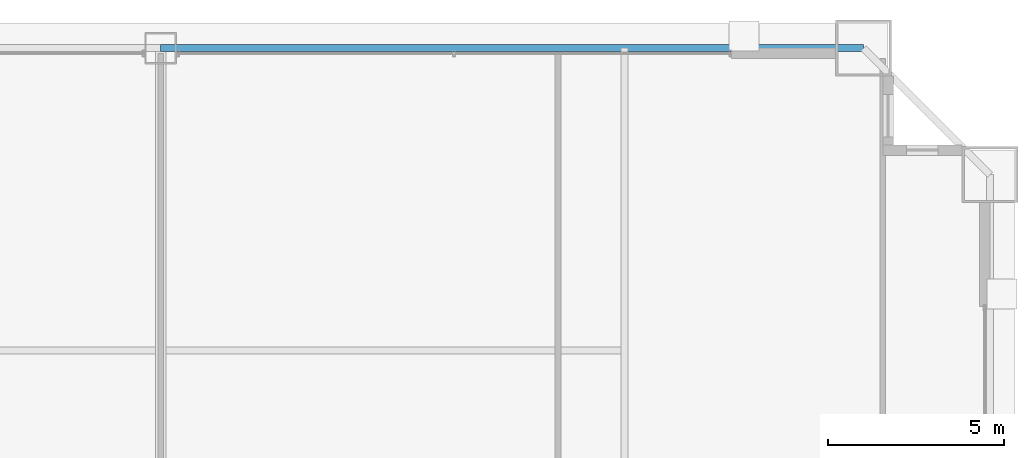
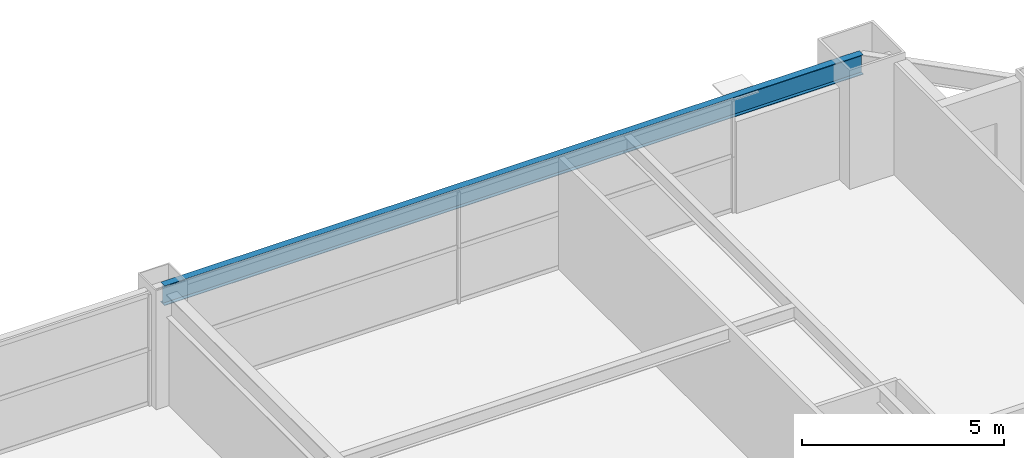
# One storey, part 31 of 37: 1 beam.
"""IFC4 building model written with IfcOpenShell, lengths in metres."""

import ifcopenshell
import ifcopenshell.guid

model = None  # the IFC model being written
_history = None  # IfcOwnerHistory: only IFC2X3 demands one
_inside = {}  # id of a spatial element -> (the spatial element, [elements in it])
_under = {}  # id of a project, library or spatial element -> (it, [spatial elements below it])
_declared = {}  # id of a project -> (the project, [libraries it declares])
_typed = {}  # id of a type object -> (the type object, [elements of that type])
_made_of = {}  # id of a material, layer set ... -> (it, [elements and type objects made of it])


def new_model(schema):
    """Start an empty IFC model of exactly this schema.

    Asked for "IFC4X3", IfcOpenShell would pick the latest addendum, in which some entities
    have other attributes; the version numbers below select the first issue.
    IFC2X3 requires an IfcOwnerHistory on every rooted entity: one is made here for all.
    """
    global model, _history
    if schema == "IFC4X3":
        model = ifcopenshell.file(schema_version=(4, 3, 0, 0))
    else:
        model = ifcopenshell.file(schema=schema)
    _inside.clear()
    _under.clear()
    _declared.clear()
    _typed.clear()
    _made_of.clear()
    _history = None
    if model.schema == "IFC2X3":
        org = make("IfcOrganization", Name="unknown")
        user = make(
            "IfcPersonAndOrganization",
            ThePerson=make("IfcPerson", FamilyName="unknown"),
            TheOrganization=org,
        )
        app = make(
            "IfcApplication",
            ApplicationDeveloper=org,
            Version="unknown",
            ApplicationFullName="unknown",
            ApplicationIdentifier="unknown",
        )
        _history = make(
            "IfcOwnerHistory",
            OwningUser=user,
            OwningApplication=app,
            ChangeAction="ADDED",
            CreationDate=0,
        )
    return model


def make(cls, **values):
    """One entity of the class cls with the attributes given. An attribute that is None is left unset."""
    return model.create_entity(
        cls, **{name: value for name, value in values.items() if value is not None}
    )


def rooted(cls, **values):
    """An entity with a GlobalId (a new one), such as an element, a storey or a relation."""
    return make(cls, GlobalId=ifcopenshell.guid.new(), OwnerHistory=_history, **values)


def si_unit(unit_type, name, prefix=None):
    """IfcSIUnit, for example si_unit("LENGTHUNIT", "METRE", prefix="MILLI")."""
    return make("IfcSIUnit", UnitType=unit_type, Prefix=prefix, Name=name)


def assignment(units):
    """IfcUnitAssignment: the units of a project."""
    return None if units is None else make("IfcUnitAssignment", Units=units)


def point(xyz):
    """IfcCartesianPoint."""
    return None if xyz is None else make("IfcCartesianPoint", Coordinates=xyz)


def direction(xyz):
    """IfcDirection."""
    return None if xyz is None else make("IfcDirection", DirectionRatios=xyz)


def frame(location, z_axis=None, x_axis=None):
    """IfcAxis2Placement3D, a coordinate frame: its origin and axes. An axis left out is left unset."""
    return make(
        "IfcAxis2Placement3D",
        Location=point(location),
        Axis=direction(z_axis),
        RefDirection=direction(x_axis),
    )


def frame_2d(location, x_axis=None):
    """IfcAxis2Placement2D, a coordinate frame in the plane: its origin and x axis."""
    return make(
        "IfcAxis2Placement2D", Location=point(location), RefDirection=direction(x_axis)
    )


def origin():
    """The frame at (0, 0, 0) with its axes left unset."""
    return frame((0.0, 0.0, 0.0))


def origin_2d():
    """The frame at (0, 0) in the plane with its x axis left unset."""
    return frame_2d((0.0, 0.0))


def place(relative_to, where):
    """IfcLocalPlacement: puts the frame where relative to a parent placement (None: the world)."""
    return make(
        "IfcLocalPlacement", PlacementRelTo=relative_to, RelativePlacement=where
    )


def context(
    kind, dimensions, precision=None, world=None, true_north=None, identifier=None
):
    """IfcGeometricRepresentationContext, for example the 3D "Model" context."""
    return make(
        "IfcGeometricRepresentationContext",
        ContextIdentifier=identifier,
        ContextType=kind,
        CoordinateSpaceDimension=dimensions,
        Precision=precision,
        WorldCoordinateSystem=world,
        TrueNorth=true_north,
    )


def subcontext(parent, identifier, kind, view, scale=None):
    """IfcGeometricRepresentationSubContext, for example "Body" below "Model"."""
    return make(
        "IfcGeometricRepresentationSubContext",
        ContextIdentifier=identifier,
        ContextType=kind,
        ParentContext=parent,
        TargetScale=scale,
        TargetView=view,
    )


def project(units=None, contexts=None):
    """IfcProject with its units and contexts."""
    return rooted(
        "IfcProject",
        Name="project",
        RepresentationContexts=contexts,
        UnitsInContext=assignment(units),
    )


def spatial(cls, under=None, at=None, **own):
    """A site, building, storey or space (cls), placed at a placement, below another one or the project."""
    s = rooted(cls, ObjectPlacement=at, **own)
    if under is not None:
        _under.setdefault(under.id(), (under, []))[1].append(s)
    return s


def profile(cls, at=None, kind="AREA", **sizes):
    """A parametric profile (cls). Its sizes go by their IFC names, for example OverallWidth=200.0."""
    return make(cls, ProfileType=kind, Position=at, **sizes)


def i_section(**sizes):
    """IfcIShapeProfileDef."""
    return profile("IfcIShapeProfileDef", **sizes)


def extrude(swept, where, along, depth):
    """IfcExtrudedAreaSolid: the profile swept, set in the frame where, extruded along a direction by depth."""
    return make(
        "IfcExtrudedAreaSolid",
        SweptArea=swept,
        Position=where,
        ExtrudedDirection=direction(along),
        Depth=depth,
    )


def shape(context_of_items, identifier, shape_type, items):
    """IfcShapeRepresentation: the items that make up one representation, for example the "Body"."""
    return make(
        "IfcShapeRepresentation",
        ContextOfItems=context_of_items,
        RepresentationIdentifier=identifier,
        RepresentationType=shape_type,
        Items=items,
    )


def source(mapping_origin, context_of_items, identifier, shape_type, items):
    """IfcRepresentationMap: a shape defined once, which mapped items show again and again."""
    return make(
        "IfcRepresentationMap",
        MappingOrigin=mapping_origin,
        MappedRepresentation=shape(context_of_items, identifier, shape_type, items),
    )


def transform(
    local_origin,
    x_axis=None,
    y_axis=None,
    z_axis=None,
    scale=None,
    scale2=None,
    scale3=None,
    uniform=True,
):
    """IfcCartesianTransformationOperator3D, or its non-uniform kind. x_axis, y_axis, z_axis: its Axis1, 2, 3."""
    if uniform:
        return make(
            "IfcCartesianTransformationOperator3D",
            Axis1=direction(x_axis),
            Axis2=direction(y_axis),
            LocalOrigin=point(local_origin),
            Scale=scale,
            Axis3=direction(z_axis),
        )
    return make(
        "IfcCartesianTransformationOperator3DnonUniform",
        Axis1=direction(x_axis),
        Axis2=direction(y_axis),
        LocalOrigin=point(local_origin),
        Scale=scale,
        Axis3=direction(z_axis),
        Scale2=scale2,
        Scale3=scale3,
    )


def mapped(mapping_source, mapping_target):
    """IfcMappedItem: shows the shape of a source again, moved by a transform."""
    return make(
        "IfcMappedItem", MappingSource=mapping_source, MappingTarget=mapping_target
    )


def material(Name=None, Category=None):
    """IfcMaterial."""
    return make("IfcMaterial", Name=Name, Category=Category)


def material_profile(
    of_material, cross_section, Name=None, Category=None, Priority=None
):
    """IfcMaterialProfile: a cross section and its material."""
    return make(
        "IfcMaterialProfile",
        Name=Name,
        Material=of_material,
        Profile=cross_section,
        Priority=Priority,
        Category=Category,
    )


def profile_set(profiles, Name=None, composite=None):
    """IfcMaterialProfileSet."""
    return make(
        "IfcMaterialProfileSet",
        Name=Name,
        MaterialProfiles=profiles,
        CompositeProfile=composite,
    )


def made_of(thing, what):
    """Note that an element or type object is made of a material, layer set ...; save() writes the relation."""
    if what is not None:
        _made_of.setdefault(what.id(), (what, []))[1].append(thing)
    return thing


def type_object(cls, material=None, **own):
    """A type object (cls), such as IfcWallType, which elements share."""
    return made_of(rooted(cls, **own), material)


def element(
    cls,
    number,
    at=None,
    inside=None,
    cuts=None,
    type_object=None,
    material=None,
    context=None,
    identifier="Body",
    shape_type=None,
    held_by="IfcProductDefinitionShape",
    body=None,
    shapes=None,
    **own,
):
    """One element of the class cls, such as IfcWall. Its Tag is "e" and its number.

    at: its placement. inside: the storey or other place that contains it. cuts: it is an
    opening in that element (IfcRelVoidsElement). A single representation is given by context,
    identifier, shape_type and body (its items); several are given by shapes. held_by: the class
    of the entity that holds the representations. save() writes the other relations.
    """
    e = rooted(cls, Tag="e%d" % number, ObjectPlacement=at, **own)
    if body is not None:
        shapes = [shape(context, identifier, shape_type, body)]
    if shapes is not None:
        e.Representation = make(held_by, Representations=shapes)
    if inside is not None:
        _inside.setdefault(inside.id(), (inside, []))[1].append(e)
    if cuts is not None:
        rooted(
            "IfcRelVoidsElement", RelatingBuildingElement=cuts, RelatedOpeningElement=e
        )
    if type_object is not None:
        _typed.setdefault(type_object.id(), (type_object, []))[1].append(e)
    return made_of(e, material)


def aggregate(whole, parts):
    """IfcRelAggregates: a whole, such as a stair, and the parts it consists of."""
    return rooted("IfcRelAggregates", RelatingObject=whole, RelatedObjects=parts)


def save(model, path):
    """Write the relations noted so far, then the file.

    IfcRelAggregates (storeys below a building ...), IfcRelContainedInSpatialStructure (elements
    in a storey), IfcRelDefinesByType, IfcRelAssociatesMaterial and IfcRelDeclares: one each for
    every whole, place, type object, material and project.
    """
    for whole, parts in _under.values():
        aggregate(whole, parts)
    for where, things in _inside.values():
        rooted(
            "IfcRelContainedInSpatialStructure",
            RelatedElements=things,
            RelatingStructure=where,
        )
    for kind, things in _typed.values():
        rooted("IfcRelDefinesByType", RelatedObjects=things, RelatingType=kind)
    for what, things in _made_of.values():
        rooted("IfcRelAssociatesMaterial", RelatedObjects=things, RelatingMaterial=what)
    for by, libraries in _declared.values():
        rooted("IfcRelDeclares", RelatingContext=by, RelatedDefinitions=libraries)
    model.write(path)


model = new_model("IFC4")

# Units and contexts
model_context = context("Model", 3, precision=1e-05, world=origin(), true_north=direction((0.0, 1.0)))
body_context = subcontext(model_context, "Body", "Model", "MODEL_VIEW")
ifc_project = project(units=[si_unit("LENGTHUNIT", "METRE"), si_unit("AREAUNIT", "SQUARE_METRE"), si_unit("VOLUMEUNIT", "CUBIC_METRE"), si_unit("PLANEANGLEUNIT", "RADIAN"), si_unit("MASSUNIT", "GRAM", prefix="KILO"), si_unit("THERMODYNAMICTEMPERATUREUNIT", "KELVIN"), si_unit("POWERUNIT", "WATT")], contexts=[model_context])

# Site, building, storey
site_placement = place(None, origin())
site = spatial("IfcSite", under=ifc_project, at=site_placement, CompositionType="ELEMENT")
building_placement = place(site_placement, origin())
building = spatial("IfcBuilding", under=site, at=building_placement, Name="Yuzanri Waterfront Tower", CompositionType="ELEMENT")
storey_placement = place(building_placement, frame((0.0, 0.0, 104.60009765625)))
storey = spatial("IfcBuildingStorey", under=building, at=storey_placement, Name="L27", CompositionType="ELEMENT", Elevation=104.60009765625)

# Beam
ifc_material = material(Name="Steel Q355B", Category="steel")
ifc_material_profile = material_profile(ifc_material, i_section(OverallWidth=0.199951171875, OverallDepth=0.60009765625, WebThickness=0.010986328125, FlangeThickness=0.01708984375, at=origin_2d()), Name="HN 600x200x11x17")
ifc_profile_set = profile_set([ifc_material_profile], Name="Steel Q355B")
beam_type = type_object("IfcBeamType", Name="Perimeter Spandrel Q355B HN 600x200", PredefinedType="SPANDREL", material=ifc_profile_set)
shared_shape = source(origin(), body_context, "Body", "SweptSolid", [
    extrude(i_section(OverallWidth=0.199951171875, OverallDepth=0.60009765625, WebThickness=0.010986328125, FlangeThickness=0.01708984375, at=origin_2d()), origin(), (0.0, 0.0, 1.0), 20.0),
])
beam_placement = place(storey_placement, frame((57.0, 49.39990234375, 3.079833984375), z_axis=(-1.0, 0.0, 0.0), x_axis=(0.0, -1.0, 0.0)))
element("IfcBeam", 1, at=beam_placement, inside=storey, type_object=beam_type, Name="L27 Perimeter Spandrel N3-N2", PredefinedType="SPANDREL", context=body_context, shape_type="MappedRepresentation", body=[
    mapped(shared_shape, transform((0.0, 0.0, 0.0), scale=1.0)),
])

save(model, "model.ifc")
